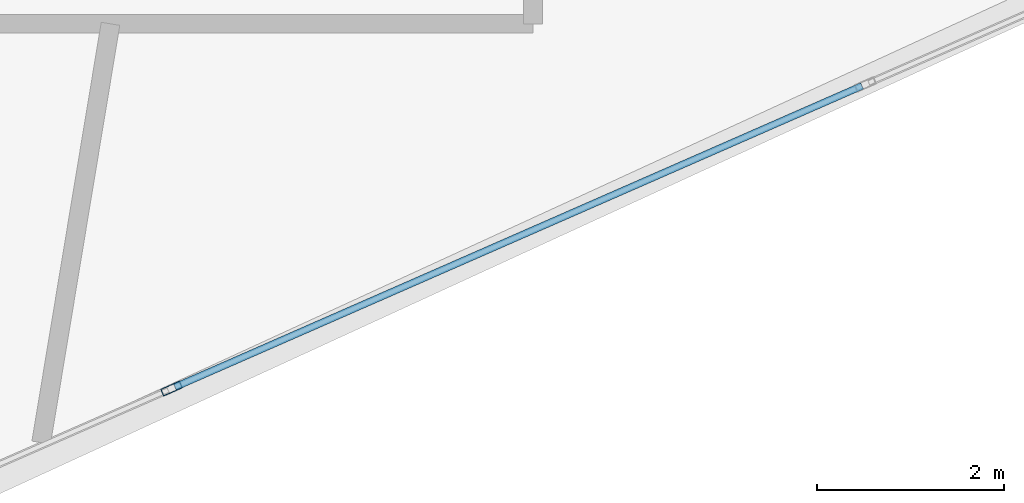
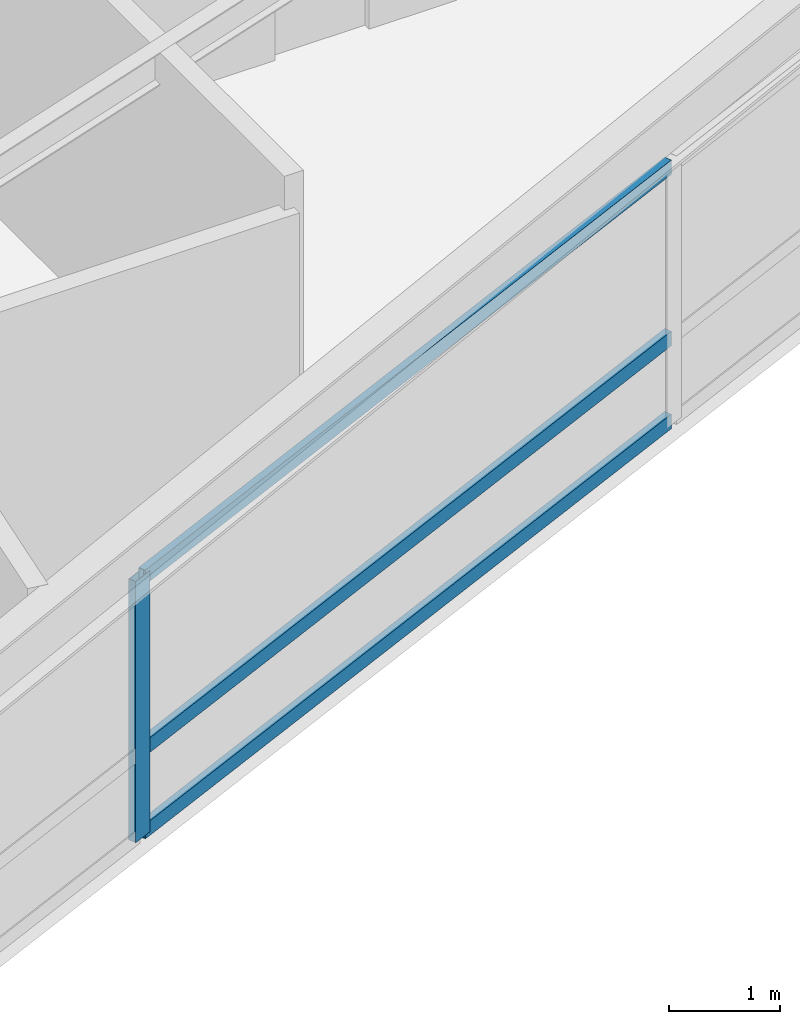
# One storey, part 4 of 17: 4 members, 1 element without a shape of its own.
"""IFC4 building model written with IfcOpenShell, lengths in metres."""

from ifc_helpers import new_model, si_unit, direction, frame, origin, origin_2d, place, context, subcontext, project, spatial, hollow_rectangle, extrude, source, transform, mapped, material, material_profile, profile_set, type_object, element, aggregate, save


model = new_model("IFC4")

# Units and contexts
model_context = context("Model", 3, precision=1e-05, world=origin(), true_north=direction((0.0, 1.0)))
body_context = subcontext(model_context, "Body", "Model", "MODEL_VIEW")
ifc_project = project(units=[si_unit("LENGTHUNIT", "METRE"), si_unit("AREAUNIT", "SQUARE_METRE"), si_unit("VOLUMEUNIT", "CUBIC_METRE"), si_unit("PLANEANGLEUNIT", "RADIAN"), si_unit("MASSUNIT", "GRAM", prefix="KILO")], contexts=[model_context])

# Site, building, storey
site_placement = place(None, origin())
site = spatial("IfcSite", under=ifc_project, at=site_placement, CompositionType="ELEMENT")
building_placement = place(site_placement, origin())
building = spatial("IfcBuilding", under=site, at=building_placement, Name="Olszyna Solenne Hotel", CompositionType="ELEMENT")
storey_placement = place(building_placement, frame((0.0, 0.0, 75.89990234375)))
storey = spatial("IfcBuildingStorey", under=building, at=storey_placement, Name="L19", CompositionType="ELEMENT", Elevation=75.89990234375)

# Curtain wall, members
ifc_material = material(Name="Anodised bronze aluminium", Category="aluminium")
curtain_wall_type = type_object("IfcCurtainWallType", Name="CW-SYS-6", PredefinedType="NOTDEFINED", material=ifc_material)
curtain_wall_placement = place(storey_placement, origin())
curtain_wall = element("IfcCurtainWall", 1, at=curtain_wall_placement, inside=storey, type_object=curtain_wall_type, Name="Unitised curtain wall CW-SYS-6 CW-L19-01", PredefinedType="NOTDEFINED")
ifc_material_profile_1 = material_profile(ifc_material, hollow_rectangle(XDim=0.080078125, YDim=0.219970703125, WallThickness=0.0048828125, at=origin_2d()), Name="MULL 220x80x5", Category="load-bearing")
ifc_profile_set_1 = profile_set([ifc_material_profile_1], Name="Anodised bronze aluminium")
member_type_1 = type_object("IfcMemberType", Name="CW-M1", PredefinedType="MULLION", material=ifc_profile_set_1)
shared_shape_1 = source(origin(), body_context, "Body", "SweptSolid", [
    extrude(hollow_rectangle(XDim=0.080078125, YDim=0.219970703125, WallThickness=0.0048828125, at=origin_2d()), origin(), (0.0, 0.0, 1.0), 2.8720703125),
])
member_1_placement = place(storey_placement, frame((35.993896484375, 6.658447265625, 0.0), z_axis=(0.0, 0.0, 1.0), x_axis=(-0.401449312443, 0.91588124205, 0.0)))
member_1 = element("IfcMember", 2, at=member_1_placement, type_object=member_type_1, Name="Curtain-wall mullion CW-M1 CM-L19-01-02", PredefinedType="MULLION", context=body_context, shape_type="MappedRepresentation", body=[
    mapped(shared_shape_1, transform((0.0, 0.0, 0.0), x_axis=(1.0, 0.0, 0.0), y_axis=(0.0, 1.0, 0.0), z_axis=(0.0, 0.0, 1.0), scale=1.0)),
])
ifc_material_profile_2 = material_profile(ifc_material, hollow_rectangle(XDim=0.074951171875, YDim=0.159912109375, WallThickness=0.00390625, at=origin_2d()), Name="TRAN 160x75x4", Category="load-bearing")
ifc_profile_set_2 = profile_set([ifc_material_profile_2], Name="Anodised bronze aluminium")
member_type_2 = type_object("IfcMemberType", Name="CW-T1", PredefinedType="USERDEFINED", material=ifc_profile_set_2)
shared_shape_2 = source(origin(), body_context, "Body", "SweptSolid", [
    extrude(hollow_rectangle(XDim=0.074951171875, YDim=0.159912109375, WallThickness=0.00390625, at=origin_2d()), origin(), (0.0, 0.0, 1.0), 8.003662109375),
])
member_2_placement = place(storey_placement, frame((36.030517578125, 6.67431640625, 0.03759765625), z_axis=(0.91587637528, 0.401460415489, 0.0), x_axis=(-0.401460415489, 0.91587637528, 0.0)))
member_2 = element("IfcMember", 3, at=member_2_placement, type_object=member_type_2, Name="Curtain-wall transom CW-T1 CT-L19-01-04", ObjectType="TRANSOM", PredefinedType="USERDEFINED", context=body_context, shape_type="MappedRepresentation", body=[
    mapped(shared_shape_2, transform((0.0, 0.0, 0.0), x_axis=(1.0, 0.0, 0.0), y_axis=(0.0, 1.0, 0.0), z_axis=(0.0, 0.0, 1.0), scale=1.0)),
])
member_3_placement = place(storey_placement, frame((36.030517578125, 6.67431640625, 0.9501953125), z_axis=(0.91587637528, 0.401460415489, 0.0), x_axis=(-0.401460415489, 0.91587637528, 0.0)))
member_3 = element("IfcMember", 4, at=member_3_placement, type_object=member_type_2, Name="Curtain-wall transom CW-T1 CT-L19-01-05", ObjectType="TRANSOM", PredefinedType="USERDEFINED", context=body_context, shape_type="MappedRepresentation", body=[
    mapped(shared_shape_2, transform((0.0, 0.0, 0.0), x_axis=(1.0, 0.0, 0.0), y_axis=(0.0, 1.0, 0.0), z_axis=(0.0, 0.0, 1.0), scale=1.0)),
])
member_4_placement = place(storey_placement, frame((36.030517578125, 6.67431640625, 2.834716796875), z_axis=(0.91587637528, 0.401460415489, 0.0), x_axis=(-0.401460415489, 0.91587637528, 0.0)))
member_4 = element("IfcMember", 5, at=member_4_placement, type_object=member_type_2, Name="Curtain-wall transom CW-T1 CT-L19-01-06", ObjectType="TRANSOM", PredefinedType="USERDEFINED", context=body_context, shape_type="MappedRepresentation", body=[
    mapped(shared_shape_2, transform((0.0, 0.0, 0.0), x_axis=(1.0, 0.0, 0.0), y_axis=(0.0, 1.0, 0.0), z_axis=(0.0, 0.0, 1.0), scale=1.0)),
])
aggregate(curtain_wall, [member_1, member_2, member_3, member_4])

save(model, "model.ifc")
